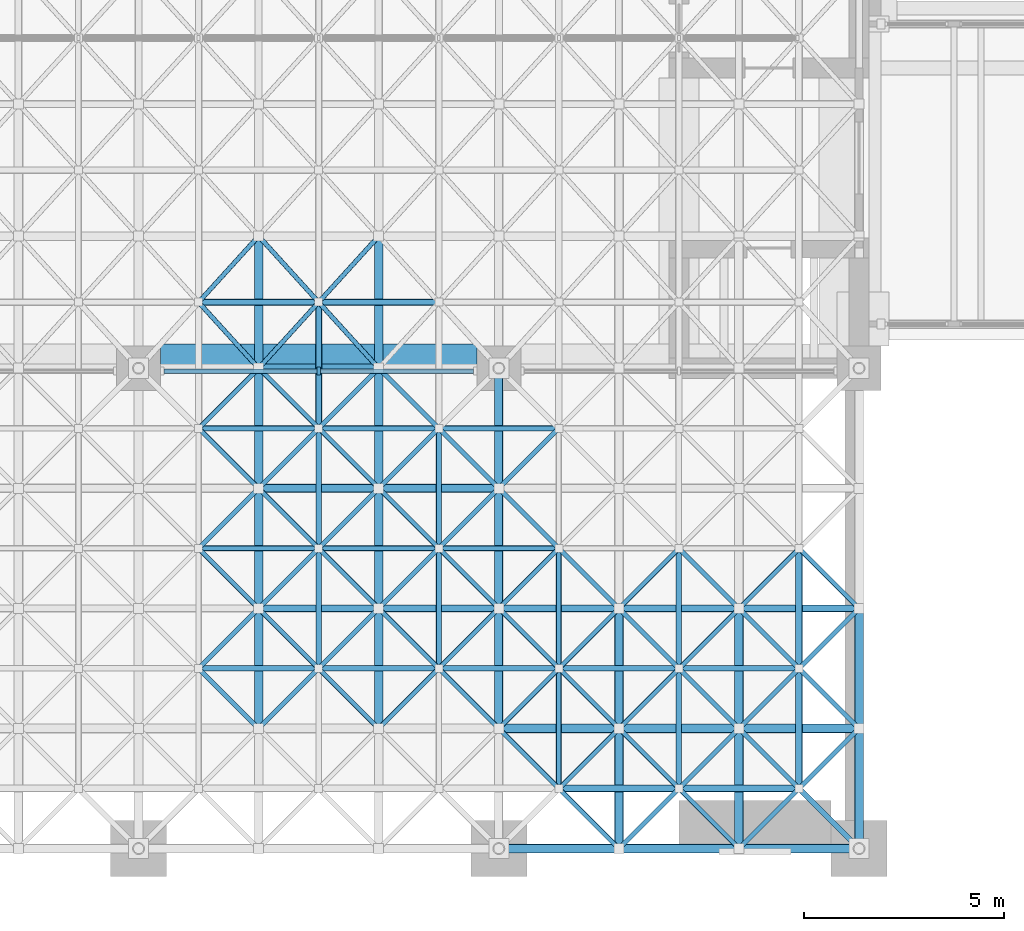
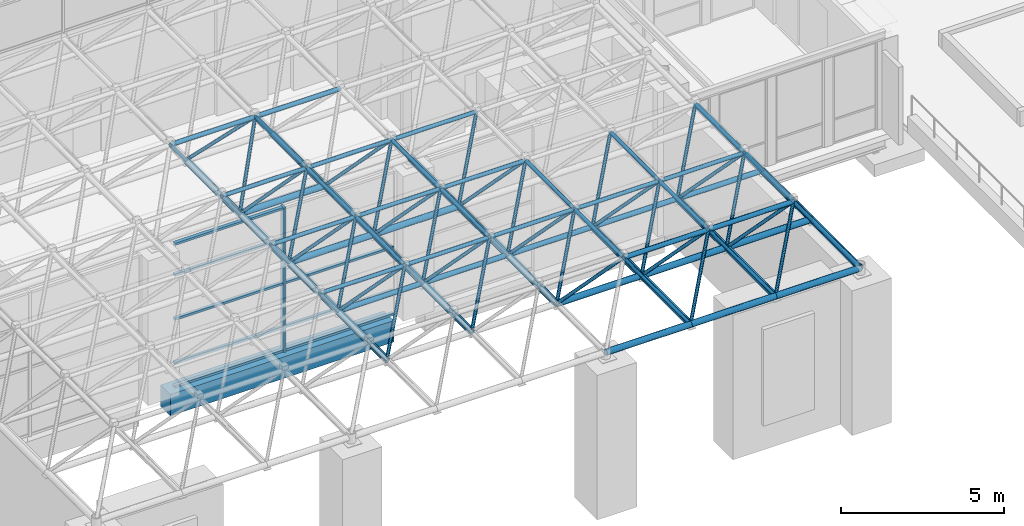
# One storey, part 5 of 53: 132 members, 1 beam, 1 element without a shape of its own.
"""IFC4 building model written with IfcOpenShell, lengths in metres."""

from ifc_helpers import new_model, si_unit, direction, frame, origin, origin_2d, place, context, subcontext, project, spatial, rectangle, hollow_circle, extrude, material, layer, layer_set, material_profile, profile_set, type_object, element, aggregate, save


model = new_model("IFC4")

# Units and contexts
model_context = context("Model", 3, precision=1e-05, world=origin(), true_north=direction((0.0, 1.0)))
body_context = subcontext(model_context, "Body", "Model", "MODEL_VIEW")
ifc_project = project(units=[si_unit("LENGTHUNIT", "METRE"), si_unit("AREAUNIT", "SQUARE_METRE"), si_unit("VOLUMEUNIT", "CUBIC_METRE"), si_unit("PLANEANGLEUNIT", "RADIAN"), si_unit("MASSUNIT", "GRAM", prefix="KILO")], contexts=[model_context])

# Site, building, storey
site_placement = place(None, origin())
site = spatial("IfcSite", under=ifc_project, at=site_placement, CompositionType="ELEMENT")
building_placement = place(site_placement, origin())
building = spatial("IfcBuilding", under=site, at=building_placement, Name="Aurelan Courthouse", CompositionType="ELEMENT")
storey_placement = place(building_placement, frame((0.0, 0.0, 12.0)))
storey = spatial("IfcBuildingStorey", under=building, at=storey_placement, Name="L02", CompositionType="ELEMENT", Elevation=12.0)

# Curtain wall, members
ifc_material_1 = material(Name="Bronze-finished aluminium and glass", Category="aluminium")
ifc_layer = layer(ifc_material_1, 0.14990234375)
ifc_layer_set = layer_set([ifc_layer], Name="Bronze-finished aluminium and glass")
curtain_wall_type = type_object("IfcCurtainWallType", Name="Curtain wall 7900 x 5400", PredefinedType="NOTDEFINED", material=ifc_layer_set)
curtain_wall_placement = place(storey_placement, origin())
curtain_wall = element("IfcCurtainWall", 1, at=curtain_wall_placement, inside=storey, type_object=curtain_wall_type, Name="Curtain wall CW-V1-L02-S02", PredefinedType="NOTDEFINED")
ifc_material_2 = material(Name="Bronze-finished aluminium", Category="aluminium")
ifc_material_profile_1 = material_profile(ifc_material_2, rectangle(XDim=0.199951171875, YDim=0.080078125, at=origin_2d()), Name="Bronze mullion 80 x 200")
ifc_profile_set_1 = profile_set([ifc_material_profile_1], Name="Bronze-finished aluminium")
member_type_1 = type_object("IfcMemberType", Name="Curtain wall mullion 80 x 200", PredefinedType="MULLION", material=ifc_profile_set_1)
member_1_placement = place(storey_placement, frame((49.5, 11.925048828125, 0.0), z_axis=(0.0, 0.0, 1.0), x_axis=(0.0, 1.0, 0.0)))
member_1 = element("IfcMember", 2, at=member_1_placement, type_object=member_type_1, Name="CW-V1-L02-S02 mullion 2", PredefinedType="MULLION", context=body_context, shape_type="SweptSolid", body=[
    extrude(rectangle(XDim=0.199951171875, YDim=0.080078125, at=origin_2d()), origin(), (0.0, 0.0, 1.0), 5.39990234375),
])
ifc_material_profile_2 = material_profile(ifc_material_2, rectangle(XDim=0.1201171875, YDim=0.080078125, at=origin_2d()), Name="Bronze transom 80 x 120")
ifc_profile_set_2 = profile_set([ifc_material_profile_2], Name="Bronze-finished aluminium")
member_type_2 = type_object("IfcMemberType", Name="Curtain wall transom 80 x 120", PredefinedType="USERDEFINED", material=ifc_profile_set_2)
member_2_placement = place(storey_placement, frame((45.6298828125, 11.925048828125, 0.0400390625), z_axis=(1.0, 0.0, 0.0), x_axis=(0.0, 1.0, 0.0)))
member_2 = element("IfcMember", 3, at=member_2_placement, type_object=member_type_2, Name="CW-V1-L02-S02 transom 1.1", ObjectType="TRANSOM", PredefinedType="USERDEFINED", context=body_context, shape_type="SweptSolid", body=[
    extrude(rectangle(XDim=0.1201171875, YDim=0.080078125, at=origin_2d()), origin(), (0.0, 0.0, 1.0), 3.830078125),
])
member_3_placement = place(storey_placement, frame((45.6298828125, 11.925048828125, 0.89990234375), z_axis=(1.0, 0.0, 0.0), x_axis=(0.0, 1.0, 0.0)))
member_3 = element("IfcMember", 4, at=member_3_placement, type_object=member_type_2, Name="CW-V1-L02-S02 transom 1.2", ObjectType="TRANSOM", PredefinedType="USERDEFINED", context=body_context, shape_type="SweptSolid", body=[
    extrude(rectangle(XDim=0.1201171875, YDim=0.080078125, at=origin_2d()), origin(), (0.0, 0.0, 1.0), 3.830078125),
])
member_4_placement = place(storey_placement, frame((45.6298828125, 11.925048828125, 2.550048828125), z_axis=(1.0, 0.0, 0.0), x_axis=(0.0, 1.0, 0.0)))
member_4 = element("IfcMember", 5, at=member_4_placement, type_object=member_type_2, Name="CW-V1-L02-S02 transom 1.3", ObjectType="TRANSOM", PredefinedType="USERDEFINED", context=body_context, shape_type="SweptSolid", body=[
    extrude(rectangle(XDim=0.1201171875, YDim=0.080078125, at=origin_2d()), origin(), (0.0, 0.0, 1.0), 3.830078125),
])
member_5_placement = place(storey_placement, frame((45.6298828125, 11.925048828125, 4.199951171875), z_axis=(1.0, 0.0, 0.0), x_axis=(0.0, 1.0, 0.0)))
member_5 = element("IfcMember", 6, at=member_5_placement, type_object=member_type_2, Name="CW-V1-L02-S02 transom 1.4", ObjectType="TRANSOM", PredefinedType="USERDEFINED", context=body_context, shape_type="SweptSolid", body=[
    extrude(rectangle(XDim=0.1201171875, YDim=0.080078125, at=origin_2d()), origin(), (0.0, 0.0, 1.0), 3.830078125),
])
member_6_placement = place(storey_placement, frame((45.6298828125, 11.925048828125, 5.360107421875), z_axis=(1.0, 0.0, 0.0), x_axis=(0.0, 1.0, 0.0)))
member_6 = element("IfcMember", 7, at=member_6_placement, type_object=member_type_2, Name="CW-V1-L02-S02 transom 1.5", ObjectType="TRANSOM", PredefinedType="USERDEFINED", context=body_context, shape_type="SweptSolid", body=[
    extrude(rectangle(XDim=0.1201171875, YDim=0.080078125, at=origin_2d()), origin(), (0.0, 0.0, 1.0), 3.830078125),
])
member_7_placement = place(storey_placement, frame((49.5400390625, 11.925048828125, 0.0400390625), z_axis=(1.0, 0.0, 0.0), x_axis=(0.0, 1.0, 0.0)))
member_7 = element("IfcMember", 8, at=member_7_placement, type_object=member_type_2, Name="CW-V1-L02-S02 transom 2.1", ObjectType="TRANSOM", PredefinedType="USERDEFINED", context=body_context, shape_type="SweptSolid", body=[
    extrude(rectangle(XDim=0.1201171875, YDim=0.080078125, at=origin_2d()), origin(), (0.0, 0.0, 1.0), 3.830078125),
])
member_8_placement = place(storey_placement, frame((49.5400390625, 11.925048828125, 0.89990234375), z_axis=(1.0, 0.0, 0.0), x_axis=(0.0, 1.0, 0.0)))
member_8 = element("IfcMember", 9, at=member_8_placement, type_object=member_type_2, Name="CW-V1-L02-S02 transom 2.2", ObjectType="TRANSOM", PredefinedType="USERDEFINED", context=body_context, shape_type="SweptSolid", body=[
    extrude(rectangle(XDim=0.1201171875, YDim=0.080078125, at=origin_2d()), origin(), (0.0, 0.0, 1.0), 3.830078125),
])
member_9_placement = place(storey_placement, frame((49.5400390625, 11.925048828125, 2.550048828125), z_axis=(1.0, 0.0, 0.0), x_axis=(0.0, 1.0, 0.0)))
member_9 = element("IfcMember", 10, at=member_9_placement, type_object=member_type_2, Name="CW-V1-L02-S02 transom 2.3", ObjectType="TRANSOM", PredefinedType="USERDEFINED", context=body_context, shape_type="SweptSolid", body=[
    extrude(rectangle(XDim=0.1201171875, YDim=0.080078125, at=origin_2d()), origin(), (0.0, 0.0, 1.0), 3.830078125),
])
aggregate(curtain_wall, [member_1, member_2, member_3, member_4, member_5, member_6, member_7, member_8, member_9])

# Beam
ifc_material_3 = material(Name="Concrete C50", Category="concrete")
ifc_material_profile_3 = material_profile(ifc_material_3, rectangle(XDim=0.60009765625, YDim=0.800048828125, at=origin_2d()), Name="RC 600 x 800")
ifc_profile_set_3 = profile_set([ifc_material_profile_3], Name="Concrete C50")
beam_type = type_object("IfcBeamType", Name="RC spandrel beam 600 x 800", PredefinedType="SPANDREL", material=ifc_profile_set_3)
beam_placement = place(storey_placement, frame((45.550048828125, 12.300048828125, -0.699951171875), z_axis=(1.0, 0.0, 0.0), x_axis=(0.0, 1.0, 0.0)))
element("IfcBeam", 11, at=beam_placement, inside=storey, type_object=beam_type, Name="Spandrel beam SB-B-6-7", PredefinedType="SPANDREL", context=body_context, shape_type="SweptSolid", body=[
    extrude(rectangle(XDim=0.60009765625, YDim=0.800048828125, at=origin_2d()), origin(), (0.0, 0.0, 1.0), 7.89990234375),
])

# Members
ifc_material_4 = material(Name="Steel S355", Category="steel")
ifc_material_profile_4 = material_profile(ifc_material_4, hollow_circle(Radius=0.06982421875, WallThickness=0.0048828125, at=origin_2d()), Name="CHS 139.7 x 5")
ifc_profile_set_4 = profile_set([ifc_material_profile_4], Name="Steel S355")
member_type_3 = type_object("IfcMemberType", Name="Space frame chord CHS 139.7 x 5", PredefinedType="CHORD", material=ifc_profile_set_4)
for number, where, z_axis, x_axis, name in (
    (12, (46.5, 4.5, 7.699951171875), (1.0, 0.0, 0.0), (0.0, 1.0, 0.0), "Space frame top chord SF-T1"),
    (13, (49.5, 4.5, 7.699951171875), (1.0, 0.0, 0.0), (0.0, 1.0, 0.0), "Space frame top chord SF-T1"),
    (14, (52.5, 4.5, 7.699951171875), (1.0, 0.0, 0.0), (0.0, 1.0, 0.0), "Space frame top chord SF-T1"),
    (15, (55.5, 4.5, 7.699951171875), (1.0, 0.0, 0.0), (0.0, 1.0, 0.0), "Space frame top chord SF-T1"),
    (16, (58.5, 4.5, 7.699951171875), (1.0, 0.0, 0.0), (0.0, 1.0, 0.0), "Space frame top chord SF-T1"),
    (17, (46.5, 7.5, 7.699951171875), (1.0, 0.0, 0.0), (0.0, 1.0, 0.0), "Space frame top chord SF-T1"),
    (18, (49.5, 7.5, 7.699951171875), (1.0, 0.0, 0.0), (0.0, 1.0, 0.0), "Space frame top chord SF-T1"),
    (19, (52.5, 7.5, 7.699951171875), (1.0, 0.0, 0.0), (0.0, 1.0, 0.0), "Space frame top chord SF-T1"),
    (20, (46.5, 10.5, 7.699951171875), (1.0, 0.0, 0.0), (0.0, 1.0, 0.0), "Space frame top chord SF-T1"),
    (21, (49.5, 10.5, 7.699951171875), (1.0, 0.0, 0.0), (0.0, 1.0, 0.0), "Space frame top chord SF-T1"),
    (22, (52.5, 10.5, 7.699951171875), (1.0, 0.0, 0.0), (0.0, 1.0, 0.0), "Space frame top chord SF-T1"),
    (23, (49.5, 4.5, 7.699951171875), (0.0, 1.0, 0.0), (-1.0, 0.0, 0.0), "Space frame top chord SF-T1"),
    (24, (49.5, 7.5, 7.699951171875), (0.0, 1.0, 0.0), (-1.0, 0.0, 0.0), "Space frame top chord SF-T1"),
    (25, (52.5, 4.5, 7.699951171875), (0.0, 1.0, 0.0), (-1.0, 0.0, 0.0), "Space frame top chord SF-T1"),
    (26, (52.5, 7.5, 7.699951171875), (0.0, 1.0, 0.0), (-1.0, 0.0, 0.0), "Space frame top chord SF-T1"),
    (27, (55.5, 1.5, 7.699951171875), (0.0, 1.0, 0.0), (-1.0, 0.0, 0.0), "Space frame top chord SF-T1"),
    (28, (55.5, 4.5, 7.699951171875), (0.0, 1.0, 0.0), (-1.0, 0.0, 0.0), "Space frame top chord SF-T1"),
    (29, (58.5, 1.5, 7.699951171875), (0.0, 1.0, 0.0), (-1.0, 0.0, 0.0), "Space frame top chord SF-T1"),
    (30, (58.5, 4.5, 7.699951171875), (0.0, 1.0, 0.0), (-1.0, 0.0, 0.0), "Space frame top chord SF-T1"),
):
    element("IfcMember", number, at=place(storey_placement, frame(where, z_axis=z_axis, x_axis=x_axis)), inside=storey, type_object=member_type_3, Name=name, PredefinedType="CHORD", context=body_context, shape_type="SweptSolid", body=[
        extrude(hollow_circle(Radius=0.06982421875, WallThickness=0.0048828125, at=origin_2d()), origin(), (0.0, 0.0, 1.0), 3.0),
    ])
ifc_material_profile_5 = material_profile(ifc_material_4, hollow_circle(Radius=0.07958984375, WallThickness=0.006103515625, at=origin_2d()), Name="CHS 159 x 6")
ifc_profile_set_5 = profile_set([ifc_material_profile_5], Name="Steel S355")
member_type_4 = type_object("IfcMemberType", Name="Space frame chord CHS 159 x 6", PredefinedType="CHORD", material=ifc_profile_set_5)
for number, where, z_axis, x_axis, name in (
    (31, (46.5, 13.64990234375, 7.699951171875), (1.0, 0.0, 0.0), (0.0, 1.0, 0.0), "Space frame top chord SF-T2"),
    (32, (49.5, 13.64990234375, 7.699951171875), (1.0, 0.0, 0.0), (0.0, 1.0, 0.0), "Space frame top chord SF-T2"),
):
    element("IfcMember", number, at=place(storey_placement, frame(where, z_axis=z_axis, x_axis=x_axis)), inside=storey, type_object=member_type_4, Name=name, PredefinedType="CHORD", context=body_context, shape_type="SweptSolid", body=[
        extrude(hollow_circle(Radius=0.07958984375, WallThickness=0.006103515625, at=origin_2d()), origin(), (0.0, 0.0, 1.0), 3.0),
    ])
member_10_placement = place(storey_placement, frame((49.5, 10.5, 7.699951171875), z_axis=(0.0, 1.0, 0.0), x_axis=(-1.0, 0.0, 0.0)))
element("IfcMember", 33, at=member_10_placement, inside=storey, type_object=member_type_4, Name="Space frame top chord SF-T2", PredefinedType="CHORD", context=body_context, shape_type="SweptSolid", body=[
    extrude(hollow_circle(Radius=0.07958984375, WallThickness=0.006103515625, at=origin_2d()), origin(), (0.0, 0.0, 1.0), 3.14990234375),
])
ifc_material_profile_6 = material_profile(ifc_material_4, hollow_circle(Radius=0.084228515625, WallThickness=0.008056640625, at=origin_2d()), Name="CHS 168.3 x 8")
ifc_profile_set_6 = profile_set([ifc_material_profile_6], Name="Steel S355")
member_type_5 = type_object("IfcMemberType", Name="Space frame chord CHS 168.3 x 8", PredefinedType="CHORD", material=ifc_profile_set_6)
for number, where, z_axis, x_axis, name in (
    (34, (55.5, 1.5, 7.699951171875), (1.0, 0.0, 0.0), (0.0, 1.0, 0.0), "Space frame top chord SF-T3"),
    (35, (58.5, 1.5, 7.699951171875), (1.0, 0.0, 0.0), (0.0, 1.0, 0.0), "Space frame top chord SF-T3"),
    (36, (61.5, 1.5, 7.699951171875), (0.0, 1.0, 0.0), (-1.0, 0.0, 0.0), "Space frame top chord SF-T3"),
    (37, (61.5, 4.5, 7.699951171875), (0.0, 1.0, 0.0), (-1.0, 0.0, 0.0), "Space frame top chord SF-T3"),
):
    element("IfcMember", number, at=place(storey_placement, frame(where, z_axis=z_axis, x_axis=x_axis)), inside=storey, type_object=member_type_5, Name=name, PredefinedType="CHORD", context=body_context, shape_type="SweptSolid", body=[
        extrude(hollow_circle(Radius=0.084228515625, WallThickness=0.008056640625, at=origin_2d()), origin(), (0.0, 0.0, 1.0), 3.0),
    ])
ifc_material_profile_7 = material_profile(ifc_material_4, hollow_circle(Radius=0.0888671875, WallThickness=0.00634765625, at=origin_2d()), Name="CHS 177.8 x 6.3")
ifc_profile_set_7 = profile_set([ifc_material_profile_7], Name="Steel S355")
member_type_6 = type_object("IfcMemberType", Name="Space frame chord CHS 177.8 x 6.3", PredefinedType="CHORD", material=ifc_profile_set_7)
for number, where, z_axis, x_axis, name in (
    (38, (48.0, 6.0, 5.60009765625), (1.0, 0.0, 0.0), (0.0, 1.0, 0.0), "Space frame bottom chord SF-B2"),
    (39, (51.0, 6.0, 5.60009765625), (1.0, 0.0, 0.0), (0.0, 1.0, 0.0), "Space frame bottom chord SF-B2"),
    (40, (54.0, 6.0, 5.60009765625), (1.0, 0.0, 0.0), (0.0, 1.0, 0.0), "Space frame bottom chord SF-B2"),
    (41, (57.0, 6.0, 5.60009765625), (1.0, 0.0, 0.0), (0.0, 1.0, 0.0), "Space frame bottom chord SF-B2"),
    (42, (60.0, 6.0, 5.60009765625), (1.0, 0.0, 0.0), (0.0, 1.0, 0.0), "Space frame bottom chord SF-B2"),
):
    element("IfcMember", number, at=place(storey_placement, frame(where, z_axis=z_axis, x_axis=x_axis)), inside=storey, type_object=member_type_6, Name=name, PredefinedType="CHORD", context=body_context, shape_type="SweptSolid", body=[
        extrude(hollow_circle(Radius=0.0888671875, WallThickness=0.00634765625, at=origin_2d()), origin(), (0.0, 0.0, 1.0), 3.0),
    ])
ifc_material_profile_8 = material_profile(ifc_material_4, hollow_circle(Radius=0.109619140625, WallThickness=0.010009765625, at=origin_2d()), Name="CHS 219.1 x 10")
ifc_profile_set_8 = profile_set([ifc_material_profile_8], Name="Steel S355")
member_type_7 = type_object("IfcMemberType", Name="Space frame chord CHS 219.1 x 10", PredefinedType="CHORD", material=ifc_profile_set_8)
for number, where, z_axis, x_axis, name in (
    (43, (54.0, 0.0, 5.60009765625), (1.0, 0.0, 0.0), (0.0, 1.0, 0.0), "Space frame bottom chord SF-B1"),
    (44, (57.0, 0.0, 5.60009765625), (1.0, 0.0, 0.0), (0.0, 1.0, 0.0), "Space frame bottom chord SF-B1"),
    (45, (60.0, 0.0, 5.60009765625), (1.0, 0.0, 0.0), (0.0, 1.0, 0.0), "Space frame bottom chord SF-B1"),
    (46, (54.0, 3.0, 5.60009765625), (1.0, 0.0, 0.0), (0.0, 1.0, 0.0), "Space frame bottom chord SF-B1"),
    (47, (57.0, 3.0, 5.60009765625), (1.0, 0.0, 0.0), (0.0, 1.0, 0.0), "Space frame bottom chord SF-B1"),
    (48, (60.0, 3.0, 5.60009765625), (1.0, 0.0, 0.0), (0.0, 1.0, 0.0), "Space frame bottom chord SF-B1"),
    (49, (48.0, 9.0, 5.60009765625), (1.0, 0.0, 0.0), (0.0, 1.0, 0.0), "Space frame bottom chord SF-B1"),
    (50, (51.0, 9.0, 5.60009765625), (1.0, 0.0, 0.0), (0.0, 1.0, 0.0), "Space frame bottom chord SF-B1"),
    (51, (48.0, 12.0, 5.60009765625), (1.0, 0.0, 0.0), (0.0, 1.0, 0.0), "Space frame bottom chord SF-B1"),
    (52, (48.0, 3.0, 5.60009765625), (0.0, 1.0, 0.0), (-1.0, 0.0, 0.0), "Space frame bottom chord SF-B1"),
    (53, (48.0, 6.0, 5.60009765625), (0.0, 1.0, 0.0), (-1.0, 0.0, 0.0), "Space frame bottom chord SF-B1"),
    (54, (48.0, 9.0, 5.60009765625), (0.0, 1.0, 0.0), (-1.0, 0.0, 0.0), "Space frame bottom chord SF-B1"),
):
    element("IfcMember", number, at=place(storey_placement, frame(where, z_axis=z_axis, x_axis=x_axis)), inside=storey, type_object=member_type_7, Name=name, PredefinedType="CHORD", context=body_context, shape_type="SweptSolid", body=[
        extrude(hollow_circle(Radius=0.109619140625, WallThickness=0.010009765625, at=origin_2d()), origin(), (0.0, 0.0, 1.0), 3.0),
    ])
member_11_placement = place(storey_placement, frame((48.0, 12.0, 5.60009765625), z_axis=(0.0, 1.0, 0.0), x_axis=(-1.0, 0.0, 0.0)))
element("IfcMember", 55, at=member_11_placement, inside=storey, type_object=member_type_7, Name="Space frame bottom chord SF-B1", PredefinedType="CHORD", context=body_context, shape_type="SweptSolid", body=[
    extrude(hollow_circle(Radius=0.109619140625, WallThickness=0.010009765625, at=origin_2d()), origin(), (0.0, 0.0, 1.0), 3.300048828125),
])
for number, where, z_axis, x_axis, name in (
    (56, (51.0, 3.0, 5.60009765625), (0.0, 1.0, 0.0), (-1.0, 0.0, 0.0), "Space frame bottom chord SF-B1"),
    (57, (51.0, 6.0, 5.60009765625), (0.0, 1.0, 0.0), (-1.0, 0.0, 0.0), "Space frame bottom chord SF-B1"),
    (58, (51.0, 9.0, 5.60009765625), (0.0, 1.0, 0.0), (-1.0, 0.0, 0.0), "Space frame bottom chord SF-B1"),
):
    element("IfcMember", number, at=place(storey_placement, frame(where, z_axis=z_axis, x_axis=x_axis)), inside=storey, type_object=member_type_7, Name=name, PredefinedType="CHORD", context=body_context, shape_type="SweptSolid", body=[
        extrude(hollow_circle(Radius=0.109619140625, WallThickness=0.010009765625, at=origin_2d()), origin(), (0.0, 0.0, 1.0), 3.0),
    ])
member_12_placement = place(storey_placement, frame((51.0, 12.0, 5.60009765625), z_axis=(0.0, 1.0, 0.0), x_axis=(-1.0, 0.0, 0.0)))
element("IfcMember", 59, at=member_12_placement, inside=storey, type_object=member_type_7, Name="Space frame bottom chord SF-B1", PredefinedType="CHORD", context=body_context, shape_type="SweptSolid", body=[
    extrude(hollow_circle(Radius=0.109619140625, WallThickness=0.010009765625, at=origin_2d()), origin(), (0.0, 0.0, 1.0), 3.300048828125),
])
for number, where, z_axis, x_axis, name in (
    (60, (54.0, 3.0, 5.60009765625), (0.0, 1.0, 0.0), (-1.0, 0.0, 0.0), "Space frame bottom chord SF-B1"),
    (61, (54.0, 6.0, 5.60009765625), (0.0, 1.0, 0.0), (-1.0, 0.0, 0.0), "Space frame bottom chord SF-B1"),
    (62, (54.0, 9.0, 5.60009765625), (0.0, 1.0, 0.0), (-1.0, 0.0, 0.0), "Space frame bottom chord SF-B1"),
    (63, (57.0, 0.0, 5.60009765625), (0.0, 1.0, 0.0), (-1.0, 0.0, 0.0), "Space frame bottom chord SF-B1"),
    (64, (57.0, 3.0, 5.60009765625), (0.0, 1.0, 0.0), (-1.0, 0.0, 0.0), "Space frame bottom chord SF-B1"),
    (65, (60.0, 0.0, 5.60009765625), (0.0, 1.0, 0.0), (-1.0, 0.0, 0.0), "Space frame bottom chord SF-B1"),
    (66, (60.0, 3.0, 5.60009765625), (0.0, 1.0, 0.0), (-1.0, 0.0, 0.0), "Space frame bottom chord SF-B1"),
    (67, (63.0, 0.0, 5.60009765625), (0.0, 1.0, 0.0), (-1.0, 0.0, 0.0), "Space frame bottom chord SF-B1"),
    (68, (63.0, 3.0, 5.60009765625), (0.0, 1.0, 0.0), (-1.0, 0.0, 0.0), "Space frame bottom chord SF-B1"),
):
    element("IfcMember", number, at=place(storey_placement, frame(where, z_axis=z_axis, x_axis=x_axis)), inside=storey, type_object=member_type_7, Name=name, PredefinedType="CHORD", context=body_context, shape_type="SweptSolid", body=[
        extrude(hollow_circle(Radius=0.109619140625, WallThickness=0.010009765625, at=origin_2d()), origin(), (0.0, 0.0, 1.0), 3.0),
    ])
ifc_material_profile_9 = material_profile(ifc_material_4, hollow_circle(Radius=0.05712890625, WallThickness=0.00390625, at=origin_2d()), Name="CHS 114.3 x 4")
ifc_profile_set_9 = profile_set([ifc_material_profile_9], Name="Steel S355")
member_type_8 = type_object("IfcMemberType", Name="Space frame diagonal CHS 114.3 x 4", PredefinedType="BRACE", material=ifc_profile_set_9)
for number, where, z_axis, x_axis, name in (
    (69, (46.5, 4.5, 7.699951171875), (0.502536257357, -0.502536257357, -0.703501684493), (0.707106781187, 0.707106781187, 0.0), "Space frame diagonal SF-D2"),
    (70, (46.5, 4.5, 7.699951171875), (0.502536257357, 0.502536257357, -0.703501684493), (-0.707106781187, 0.707106781187, 0.0), "Space frame diagonal SF-D2"),
    (71, (46.5, 7.5, 7.699951171875), (0.502536257357, -0.502536257357, -0.703501684493), (0.707106781187, 0.707106781187, 0.0), "Space frame diagonal SF-D2"),
    (72, (46.5, 7.5, 7.699951171875), (0.502536257357, 0.502536257357, -0.703501684493), (-0.707106781187, 0.707106781187, 0.0), "Space frame diagonal SF-D2"),
    (73, (46.5, 10.5, 7.699951171875), (0.502536257357, -0.502536257357, -0.703501684493), (0.707106781187, 0.707106781187, 0.0), "Space frame diagonal SF-D2"),
    (74, (46.5, 10.5, 7.699951171875), (0.502536257357, 0.502536257357, -0.703501684493), (-0.707106781187, 0.707106781187, 0.0), "Space frame diagonal SF-D2"),
):
    element("IfcMember", number, at=place(storey_placement, frame(where, z_axis=z_axis, x_axis=x_axis)), inside=storey, type_object=member_type_8, Name=name, PredefinedType="BRACE", context=body_context, shape_type="SweptSolid", body=[
        extrude(hollow_circle(Radius=0.05712890625, WallThickness=0.00390625, at=origin_2d()), origin(), (0.0, 0.0, 1.0), 2.98486328125),
    ])
for number, where, z_axis, x_axis, name in (
    (75, (46.5, 13.64990234375, 7.699951171875), (0.489726573432, -0.538667347535, -0.685569377944), (0.739920256233, 0.672694592231, 0.0), "Space frame diagonal SF-D2"),
    (76, (46.5, 13.64990234375, 7.699951171875), (0.489705546256, 0.538723923689, -0.685539941951), (-0.739969795529, 0.672640098199, 0.0), "Space frame diagonal SF-D2"),
):
    element("IfcMember", number, at=place(storey_placement, frame(where, z_axis=z_axis, x_axis=x_axis)), inside=storey, type_object=member_type_8, Name=name, PredefinedType="BRACE", context=body_context, shape_type="SweptSolid", body=[
        extrude(hollow_circle(Radius=0.05712890625, WallThickness=0.00390625, at=origin_2d()), origin(), (0.0, 0.0, 1.0), 3.06298828125),
    ])
for number, where, z_axis, x_axis, name in (
    (77, (49.5, 4.5, 7.699951171875), (-0.502536257357, -0.502536257357, -0.703501684493), (0.707106781187, -0.707106781187, 0.0), "Space frame diagonal SF-D2"),
    (78, (49.5, 4.5, 7.699951171875), (-0.502536257357, 0.502536257357, -0.703501684493), (-0.707106781187, -0.707106781187, 0.0), "Space frame diagonal SF-D2"),
    (79, (49.5, 4.5, 7.699951171875), (0.502536257357, -0.502536257357, -0.703501684493), (0.707106781187, 0.707106781187, 0.0), "Space frame diagonal SF-D2"),
    (80, (49.5, 4.5, 7.699951171875), (0.502536257357, 0.502536257357, -0.703501684493), (-0.707106781187, 0.707106781187, 0.0), "Space frame diagonal SF-D2"),
    (81, (49.5, 7.5, 7.699951171875), (-0.502536257357, -0.502536257357, -0.703501684493), (0.707106781187, -0.707106781187, 0.0), "Space frame diagonal SF-D2"),
    (82, (49.5, 7.5, 7.699951171875), (-0.502536257357, 0.502536257357, -0.703501684493), (-0.707106781187, -0.707106781187, 0.0), "Space frame diagonal SF-D2"),
    (83, (49.5, 7.5, 7.699951171875), (0.502536257357, -0.502536257357, -0.703501684493), (0.707106781187, 0.707106781187, 0.0), "Space frame diagonal SF-D2"),
    (84, (49.5, 7.5, 7.699951171875), (0.502536257357, 0.502536257357, -0.703501684493), (-0.707106781187, 0.707106781187, 0.0), "Space frame diagonal SF-D2"),
    (85, (49.5, 10.5, 7.699951171875), (-0.502536257357, -0.502536257357, -0.703501684493), (0.707106781187, -0.707106781187, 0.0), "Space frame diagonal SF-D2"),
    (86, (49.5, 10.5, 7.699951171875), (-0.502536257357, 0.502536257357, -0.703501684493), (-0.707106781187, -0.707106781187, 0.0), "Space frame diagonal SF-D2"),
    (87, (49.5, 10.5, 7.699951171875), (0.502536257357, -0.502536257357, -0.703501684493), (0.707106781187, 0.707106781187, 0.0), "Space frame diagonal SF-D2"),
    (88, (49.5, 10.5, 7.699951171875), (0.502536257357, 0.502536257357, -0.703501684493), (-0.707106781187, 0.707106781187, 0.0), "Space frame diagonal SF-D2"),
):
    element("IfcMember", number, at=place(storey_placement, frame(where, z_axis=z_axis, x_axis=x_axis)), inside=storey, type_object=member_type_8, Name=name, PredefinedType="BRACE", context=body_context, shape_type="SweptSolid", body=[
        extrude(hollow_circle(Radius=0.05712890625, WallThickness=0.00390625, at=origin_2d()), origin(), (0.0, 0.0, 1.0), 2.98486328125),
    ])
for number, where, z_axis, x_axis, name in (
    (89, (49.5, 13.64990234375, 7.699951171875), (-0.489726573432, -0.538667347535, -0.685569377944), (0.739920256233, -0.672694592231, 0.0), "Space frame diagonal SF-D2"),
    (90, (49.5, 13.64990234375, 7.699951171875), (-0.489705546256, 0.538723923689, -0.685539941951), (-0.739969795529, -0.672640098199, 0.0), "Space frame diagonal SF-D2"),
    (91, (49.5, 13.64990234375, 7.699951171875), (0.489726573432, -0.538667347535, -0.685569377944), (0.739920256233, 0.672694592231, 0.0), "Space frame diagonal SF-D2"),
    (92, (49.5, 13.64990234375, 7.699951171875), (0.489705546256, 0.538723923689, -0.685539941951), (-0.739969795529, 0.672640098199, 0.0), "Space frame diagonal SF-D2"),
):
    element("IfcMember", number, at=place(storey_placement, frame(where, z_axis=z_axis, x_axis=x_axis)), inside=storey, type_object=member_type_8, Name=name, PredefinedType="BRACE", context=body_context, shape_type="SweptSolid", body=[
        extrude(hollow_circle(Radius=0.05712890625, WallThickness=0.00390625, at=origin_2d()), origin(), (0.0, 0.0, 1.0), 3.06298828125),
    ])
for number, where, z_axis, x_axis, name in (
    (93, (52.5, 4.5, 7.699951171875), (-0.502536257357, -0.502536257357, -0.703501684493), (0.707106781187, -0.707106781187, 0.0), "Space frame diagonal SF-D2"),
    (94, (52.5, 4.5, 7.699951171875), (-0.502536257357, 0.502536257357, -0.703501684493), (-0.707106781187, -0.707106781187, 0.0), "Space frame diagonal SF-D2"),
    (95, (52.5, 4.5, 7.699951171875), (0.502536257357, -0.502536257357, -0.703501684493), (0.707106781187, 0.707106781187, 0.0), "Space frame diagonal SF-D2"),
    (96, (52.5, 4.5, 7.699951171875), (0.502536257357, 0.502536257357, -0.703501684493), (-0.707106781187, 0.707106781187, 0.0), "Space frame diagonal SF-D2"),
    (97, (52.5, 7.5, 7.699951171875), (-0.502536257357, -0.502536257357, -0.703501684493), (0.707106781187, -0.707106781187, 0.0), "Space frame diagonal SF-D2"),
    (98, (52.5, 7.5, 7.699951171875), (-0.502536257357, 0.502536257357, -0.703501684493), (-0.707106781187, -0.707106781187, 0.0), "Space frame diagonal SF-D2"),
    (99, (52.5, 7.5, 7.699951171875), (0.502536257357, -0.502536257357, -0.703501684493), (0.707106781187, 0.707106781187, 0.0), "Space frame diagonal SF-D2"),
    (100, (52.5, 7.5, 7.699951171875), (0.502536257357, 0.502536257357, -0.703501684493), (-0.707106781187, 0.707106781187, 0.0), "Space frame diagonal SF-D2"),
    (101, (52.5, 10.5, 7.699951171875), (-0.502536257357, -0.502536257357, -0.703501684493), (0.707106781187, -0.707106781187, 0.0), "Space frame diagonal SF-D2"),
    (102, (52.5, 10.5, 7.699951171875), (-0.502536257357, 0.502536257357, -0.703501684493), (-0.707106781187, -0.707106781187, 0.0), "Space frame diagonal SF-D2"),
    (103, (52.5, 10.5, 7.699951171875), (0.502536257357, -0.502536257357, -0.703501684493), (0.707106781187, 0.707106781187, 0.0), "Space frame diagonal SF-D2"),
    (104, (55.5, 1.5, 7.699951171875), (-0.502536257357, 0.502536257357, -0.703501684493), (-0.707106781187, -0.707106781187, 0.0), "Space frame diagonal SF-D2"),
    (105, (55.5, 1.5, 7.699951171875), (0.502536257357, -0.502536257357, -0.703501684493), (0.707106781187, 0.707106781187, 0.0), "Space frame diagonal SF-D2"),
    (106, (55.5, 1.5, 7.699951171875), (0.502536257357, 0.502536257357, -0.703501684493), (-0.707106781187, 0.707106781187, 0.0), "Space frame diagonal SF-D2"),
    (107, (55.5, 4.5, 7.699951171875), (-0.502536257357, -0.502536257357, -0.703501684493), (0.707106781187, -0.707106781187, 0.0), "Space frame diagonal SF-D2"),
    (108, (55.5, 4.5, 7.699951171875), (-0.502536257357, 0.502536257357, -0.703501684493), (-0.707106781187, -0.707106781187, 0.0), "Space frame diagonal SF-D2"),
    (109, (55.5, 4.5, 7.699951171875), (0.502536257357, -0.502536257357, -0.703501684493), (0.707106781187, 0.707106781187, 0.0), "Space frame diagonal SF-D2"),
    (110, (55.5, 4.5, 7.699951171875), (0.502536257357, 0.502536257357, -0.703501684493), (-0.707106781187, 0.707106781187, 0.0), "Space frame diagonal SF-D2"),
    (111, (55.5, 7.5, 7.699951171875), (-0.502536257357, -0.502536257357, -0.703501684493), (0.707106781187, -0.707106781187, 0.0), "Space frame diagonal SF-D2"),
    (112, (55.5, 7.5, 7.699951171875), (-0.502536257357, 0.502536257357, -0.703501684493), (-0.707106781187, -0.707106781187, 0.0), "Space frame diagonal SF-D2"),
    (113, (55.5, 7.5, 7.699951171875), (0.502536257357, -0.502536257357, -0.703501684493), (0.707106781187, 0.707106781187, 0.0), "Space frame diagonal SF-D2"),
    (114, (55.5, 10.5, 7.699951171875), (-0.502536257357, -0.502536257357, -0.703501684493), (0.707106781187, -0.707106781187, 0.0), "Space frame diagonal SF-D2"),
    (115, (58.5, 1.5, 7.699951171875), (-0.502536257357, -0.502536257357, -0.703501684493), (0.707106781187, -0.707106781187, 0.0), "Space frame diagonal SF-D2"),
    (116, (58.5, 1.5, 7.699951171875), (-0.502536257357, 0.502536257357, -0.703501684493), (-0.707106781187, -0.707106781187, 0.0), "Space frame diagonal SF-D2"),
    (117, (58.5, 1.5, 7.699951171875), (0.502536257357, -0.502536257357, -0.703501684493), (0.707106781187, 0.707106781187, 0.0), "Space frame diagonal SF-D2"),
    (118, (58.5, 1.5, 7.699951171875), (0.502536257357, 0.502536257357, -0.703501684493), (-0.707106781187, 0.707106781187, 0.0), "Space frame diagonal SF-D2"),
    (119, (58.5, 4.5, 7.699951171875), (-0.502536257357, -0.502536257357, -0.703501684493), (0.707106781187, -0.707106781187, 0.0), "Space frame diagonal SF-D2"),
    (120, (58.5, 4.5, 7.699951171875), (-0.502536257357, 0.502536257357, -0.703501684493), (-0.707106781187, -0.707106781187, 0.0), "Space frame diagonal SF-D2"),
    (121, (58.5, 4.5, 7.699951171875), (0.502536257357, -0.502536257357, -0.703501684493), (0.707106781187, 0.707106781187, 0.0), "Space frame diagonal SF-D2"),
    (122, (58.5, 4.5, 7.699951171875), (0.502536257357, 0.502536257357, -0.703501684493), (-0.707106781187, 0.707106781187, 0.0), "Space frame diagonal SF-D2"),
    (123, (58.5, 7.5, 7.699951171875), (-0.502536257357, -0.502536257357, -0.703501684493), (0.707106781187, -0.707106781187, 0.0), "Space frame diagonal SF-D2"),
    (124, (58.5, 7.5, 7.699951171875), (0.502536257357, -0.502536257357, -0.703501684493), (0.707106781187, 0.707106781187, 0.0), "Space frame diagonal SF-D2"),
    (125, (61.5, 1.5, 7.699951171875), (-0.502536257357, -0.502536257357, -0.703501684493), (0.707106781187, -0.707106781187, 0.0), "Space frame diagonal SF-D2"),
    (126, (61.5, 1.5, 7.699951171875), (-0.502536257357, 0.502536257357, -0.703501684493), (-0.707106781187, -0.707106781187, 0.0), "Space frame diagonal SF-D2"),
    (127, (61.5, 1.5, 7.699951171875), (0.502536257357, 0.502536257357, -0.703501684493), (-0.707106781187, 0.707106781187, 0.0), "Space frame diagonal SF-D2"),
    (128, (61.5, 4.5, 7.699951171875), (-0.502536257357, -0.502536257357, -0.703501684493), (0.707106781187, -0.707106781187, 0.0), "Space frame diagonal SF-D2"),
    (129, (61.5, 4.5, 7.699951171875), (-0.502536257357, 0.502536257357, -0.703501684493), (-0.707106781187, -0.707106781187, 0.0), "Space frame diagonal SF-D2"),
    (130, (61.5, 4.5, 7.699951171875), (0.502536257357, -0.502536257357, -0.703501684493), (0.707106781187, 0.707106781187, 0.0), "Space frame diagonal SF-D2"),
    (131, (61.5, 4.5, 7.699951171875), (0.502536257357, 0.502536257357, -0.703501684493), (-0.707106781187, 0.707106781187, 0.0), "Space frame diagonal SF-D2"),
    (132, (61.5, 7.5, 7.699951171875), (-0.502536257357, -0.502536257357, -0.703501684493), (0.707106781187, -0.707106781187, 0.0), "Space frame diagonal SF-D2"),
    (133, (61.5, 7.5, 7.699951171875), (0.502536257357, -0.502536257357, -0.703501684493), (0.707106781187, 0.707106781187, 0.0), "Space frame diagonal SF-D2"),
):
    element("IfcMember", number, at=place(storey_placement, frame(where, z_axis=z_axis, x_axis=x_axis)), inside=storey, type_object=member_type_8, Name=name, PredefinedType="BRACE", context=body_context, shape_type="SweptSolid", body=[
        extrude(hollow_circle(Radius=0.05712890625, WallThickness=0.00390625, at=origin_2d()), origin(), (0.0, 0.0, 1.0), 2.98486328125),
    ])
ifc_material_profile_10 = material_profile(ifc_material_4, hollow_circle(Radius=0.06982421875, WallThickness=0.00634765625, at=origin_2d()), Name="CHS 139.7 x 6.3")
ifc_profile_set_10 = profile_set([ifc_material_profile_10], Name="Steel S355")
member_type_9 = type_object("IfcMemberType", Name="Space frame diagonal CHS 139.7 x 6.3", PredefinedType="BRACE", material=ifc_profile_set_10)
member_13_placement = place(storey_placement, frame((61.5, 1.5, 7.699951171875), z_axis=(0.502536257357, -0.502536257357, -0.703501684493), x_axis=(0.707106781187, 0.707106781187, 0.0)))
element("IfcMember", 134, at=member_13_placement, inside=storey, type_object=member_type_9, Name="Space frame diagonal SF-D1", PredefinedType="BRACE", context=body_context, shape_type="SweptSolid", body=[
    extrude(hollow_circle(Radius=0.06982421875, WallThickness=0.00634765625, at=origin_2d()), origin(), (0.0, 0.0, 1.0), 2.98486328125),
])

save(model, "model.ifc")
